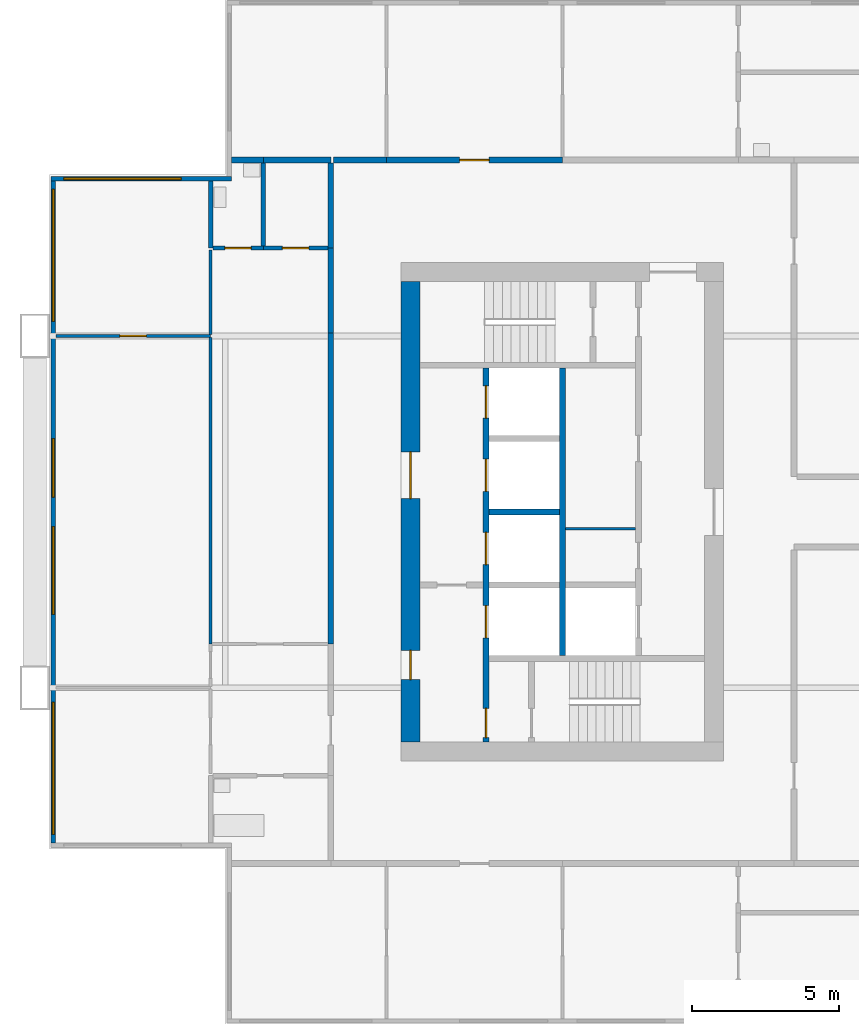
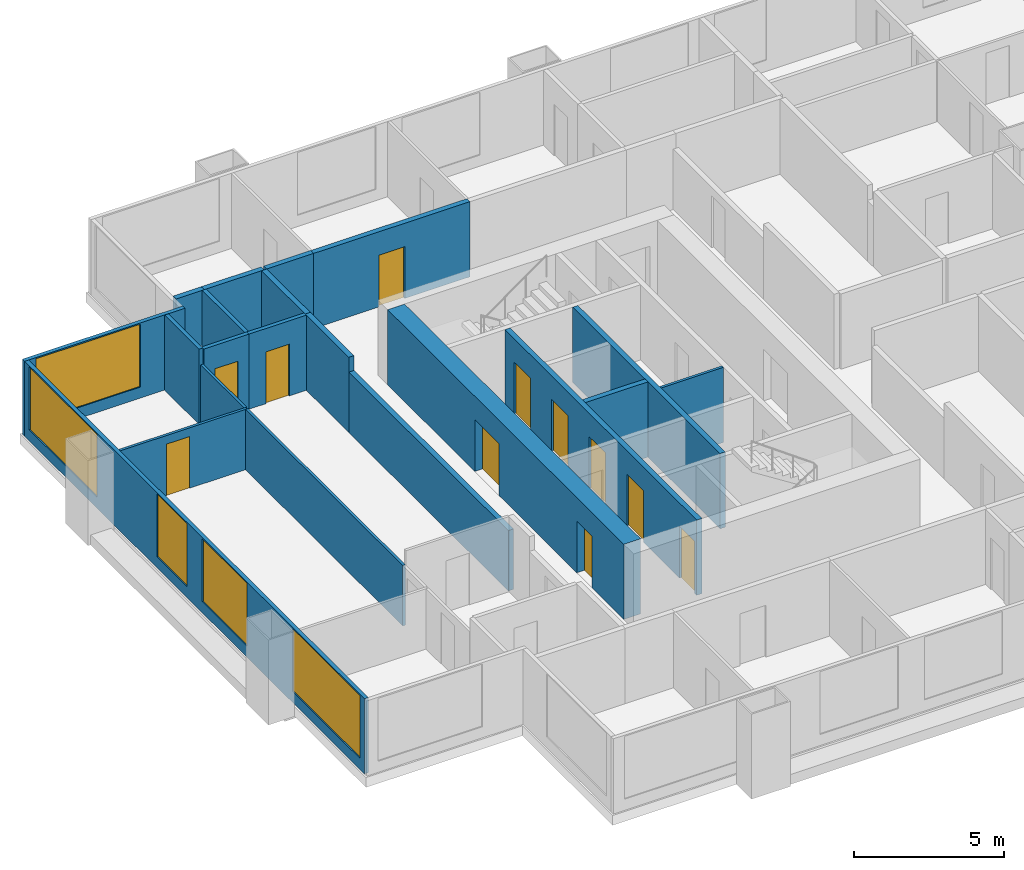
# One storey, part 3 of 11: 21 walls, 11 doors, 5 windows, 16 openings.
"""IFC4 building model written with IfcOpenShell, lengths in metres."""

from ifc_helpers import new_model, si_unit, direction, frame, frame_2d, origin, place, context, subcontext, project, spatial, rectangle, extrude, material, layer, layer_set, type_object, element, fill, save


model = new_model("IFC4")

# Units and contexts
model_context = context("Model", 3, precision=1e-05, world=origin(), true_north=direction((0.0, 1.0)))
body_context = subcontext(model_context, "Body", "Model", "MODEL_VIEW")
ifc_project = project(units=[si_unit("LENGTHUNIT", "METRE"), si_unit("AREAUNIT", "SQUARE_METRE"), si_unit("VOLUMEUNIT", "CUBIC_METRE"), si_unit("PLANEANGLEUNIT", "RADIAN"), si_unit("MASSUNIT", "GRAM", prefix="KILO")], contexts=[model_context])

# Site, building, storey
site_placement = place(None, origin())
site = spatial("IfcSite", under=ifc_project, at=site_placement, CompositionType="ELEMENT")
building_placement = place(site_placement, origin())
building = spatial("IfcBuilding", under=site, at=building_placement, Name="Kitamizu Gate Tower and Museum", CompositionType="ELEMENT")
storey_placement = place(building_placement, frame((0.0, 0.0, 110.39990234375)))
storey = spatial("IfcBuildingStorey", under=building, at=storey_placement, Name="L28", CompositionType="ELEMENT", Elevation=110.39990234375)

# Wall, openings, doors
ifc_material_1 = material(Name="Concrete Fc60", Category="concrete")
ifc_layer_1 = layer(ifc_material_1, 0.64990234375)
ifc_layer_set_1 = layer_set([ifc_layer_1], Name="Concrete Fc60")
wall_type_1 = type_object("IfcWallType", Name="Core wall 650", PredefinedType="SHEAR", material=ifc_layer_set_1)
wall_1_placement = place(storey_placement, frame((12.824951171875, 22.14990234375, 0.0), z_axis=(0.0, 0.0, 1.0), x_axis=(0.0, 1.0, 0.0)))
wall_1 = element("IfcWall", 1, at=wall_1_placement, inside=storey, type_object=wall_type_1, Name="Core wall WOUT", PredefinedType="SHEAR", context=body_context, shape_type="SweptSolid", body=[
    extrude(rectangle(XDim=15.7001953125, YDim=0.64990234375, at=frame_2d((7.85009765625, 0.0))), origin(), (0.0, 0.0, 1.0), 3.050048828125),
])
opening_1_placement = place(wall_1_placement, frame((8.300048828125, 0.0, 0.0)))
opening_1 = element("IfcOpeningElement", 2, at=opening_1_placement, cuts=wall_1, Name="Opening L28-058", PredefinedType="OPENING", context=body_context, shape_type="SweptSolid", body=[
    extrude(rectangle(XDim=1.60009765625, YDim=2.10009765625, at=frame_2d((0.800048828125, 1.050048828125))), frame((0.0, 0.3349609375, 0.0), z_axis=(0.0, -1.0, 0.0), x_axis=(1.0, 0.0, 0.0)), (0.0, 0.0, 1.0), 0.669921875),
])
opening_2_placement = place(wall_1_placement, frame((2.125, 0.0, 0.0)))
opening_2 = element("IfcOpeningElement", 3, at=opening_2_placement, cuts=wall_1, Name="Opening L28-059", PredefinedType="OPENING", context=body_context, shape_type="SweptSolid", body=[
    extrude(rectangle(XDim=1.0, YDim=2.10009765625, at=frame_2d((0.5, 1.050048828125))), frame((0.0, 0.3349609375, 0.0), z_axis=(0.0, -1.0, 0.0), x_axis=(1.0, 0.0, 0.0)), (0.0, 0.0, 1.0), 0.669921875),
])
ifc_material_2 = material(Name="Timber door set", Category="wood")
door_type_1 = type_object("IfcDoorType", Name="Entrance door 1600", OperationType="DOUBLE_DOOR_SINGLE_SWING", PredefinedType="DOOR", material=ifc_material_2)
door_1_placement = place(opening_1_placement, origin())
door_1 = element("IfcDoor", 4, at=door_1_placement, inside=storey, type_object=door_type_1, Name="Lobby door L28-058", OperationType="DOUBLE_DOOR_SINGLE_SWING", OverallHeight=2.10009765625, OverallWidth=1.60009765625, PredefinedType="DOOR", context=body_context, shape_type="SweptSolid", body=[
    extrude(rectangle(XDim=1.60009765625, YDim=2.10009765625, at=frame_2d((0.800048828125, 1.050048828125))), frame((0.0, 0.02490234375, 0.0), z_axis=(0.0, -1.0, 0.0), x_axis=(1.0, 0.0, 0.0)), (0.0, 0.0, 1.0), 0.050048828125),
])
fill(opening_1, door_1)
ifc_material_3 = material(Name="Hollow metal door set")
door_type_2 = type_object("IfcDoorType", Name="Fire door 1000", OperationType="NOTDEFINED", PredefinedType="DOOR", material=ifc_material_3)
door_2_placement = place(opening_2_placement, frame((1.0, 0.0, 0.0), x_axis=(-1.0, 0.0, 0.0)))
door_2 = element("IfcDoor", 5, at=door_2_placement, inside=storey, type_object=door_type_2, Name="Fire-fighting lobby door L28-059", OperationType="SINGLE_SWING_RIGHT", OverallHeight=2.10009765625, OverallWidth=1.0, PredefinedType="DOOR", context=body_context, shape_type="SweptSolid", body=[
    extrude(rectangle(XDim=1.0, YDim=2.10009765625, at=frame_2d((0.5, 1.050048828125))), frame((0.0, 0.02490234375, 0.0), z_axis=(0.0, -1.0, 0.0), x_axis=(1.0, 0.0, 0.0)), (0.0, 0.0, 1.0), 0.050048828125),
])
fill(opening_2, door_2)

# Wall
ifc_material_4 = material(Name="Gypsum board on galvanised stud")
ifc_layer_2 = layer(ifc_material_4, 0.10009765625)
ifc_layer_set_2 = layer_set([ifc_layer_2], Name="Gypsum board on galvanised stud")
wall_type_2 = type_object("IfcWallType", Name="Partition 100", PredefinedType="PARTITIONING", material=ifc_layer_set_2)
wall_2_placement = place(storey_placement, frame((18.10009765625, 29.425048828125, 0.0), z_axis=(0.0, 0.0, 1.0), x_axis=(1.0, 0.0, 0.0)))
element("IfcWall", 6, at=wall_2_placement, inside=storey, type_object=wall_type_2, Name="Partition WPF1", PredefinedType="PARTITIONING", context=body_context, shape_type="SweptSolid", body=[
    extrude(rectangle(XDim=2.39990234375, YDim=0.10009765625, at=frame_2d((1.199951171875, 0.0))), origin(), (0.0, 0.0, 1.0), 3.050048828125),
])

# Wall, opening, door
ifc_material_5 = material(Name="Gypsum board on galvanised stud")
ifc_layer_3 = layer(ifc_material_5, 0.10009765625)
ifc_layer_set_3 = layer_set([ifc_layer_3], Name="Gypsum board on galvanised stud")
wall_type_3 = type_object("IfcWallType", Name="Partition 100 NOT RATED", PredefinedType="PARTITIONING", material=ifc_layer_set_3)
wall_3_placement = place(storey_placement, frame((6.0, 36.0, 0.0), z_axis=(0.0, 0.0, 1.0), x_axis=(-1.0, 0.0, 0.0)))
wall_3 = element("IfcWall", 7, at=wall_3_placement, inside=storey, type_object=wall_type_3, Name="Partition L28-022", PredefinedType="PARTITIONING", context=body_context, shape_type="SweptSolid", body=[
    extrude(rectangle(XDim=5.280029296875, YDim=0.10009765625, at=frame_2d((2.64013671875, 0.0))), origin(), (0.0, 0.0, 1.0), 2.4501953125),
])
opening_3_placement = place(wall_3_placement, frame((2.18994140625, 0.0, 0.0)))
opening_3 = element("IfcOpeningElement", 8, at=opening_3_placement, cuts=wall_3, Name="Opening L28-010", PredefinedType="OPENING", context=body_context, shape_type="SweptSolid", body=[
    extrude(rectangle(XDim=0.89990234375, YDim=2.10009765625, at=frame_2d((0.449951171875, 1.050048828125))), frame((0.0, 0.06005859375, 0.0), z_axis=(0.0, -1.0, 0.0), x_axis=(1.0, 0.0, 0.0)), (0.0, 0.0, 1.0), 0.1201171875),
])
ifc_material_6 = material(Name="Timber door set", Category="wood")
door_type_3 = type_object("IfcDoorType", Name="Room door 900", OperationType="NOTDEFINED", PredefinedType="DOOR", material=ifc_material_6)
door_3_placement = place(opening_3_placement, frame((0.89990234375, 0.0, 0.0), x_axis=(-1.0, 0.0, 0.0)))
door_3 = element("IfcDoor", 9, at=door_3_placement, inside=storey, type_object=door_type_3, Name="Door L28-010", OperationType="SINGLE_SWING_LEFT", OverallHeight=2.10009765625, OverallWidth=0.89990234375, PredefinedType="DOOR", context=body_context, shape_type="SweptSolid", body=[
    extrude(rectangle(XDim=0.89990234375, YDim=2.10009765625, at=frame_2d((0.449951171875, 1.050048828125))), frame((0.0, 0.02490234375, 0.0), z_axis=(0.0, -1.0, 0.0), x_axis=(1.0, 0.0, 0.0)), (0.0, 0.0, 1.0), 0.050048828125),
])
fill(opening_3, door_3)

# Walls
wall_4_placement = place(storey_placement, frame((6.0, 25.5, 0.0), z_axis=(0.0, 0.0, 1.0), x_axis=(0.0, 1.0, 0.0)))
element("IfcWall", 10, at=wall_4_placement, inside=storey, type_object=wall_type_3, Name="Partition L28-024", PredefinedType="PARTITIONING", context=body_context, shape_type="SweptSolid", body=[
    extrude(rectangle(XDim=10.449951171875, YDim=0.10009765625, at=frame_2d((5.22509765625, 0.0))), origin(), (0.0, 0.0, 1.0), 2.4501953125),
])
wall_5_placement = place(storey_placement, frame((6.0, 36.050048828125, 0.0), z_axis=(0.0, 0.0, 1.0), x_axis=(0.0, 1.0, 0.0)))
element("IfcWall", 11, at=wall_5_placement, inside=storey, type_object=wall_type_3, Name="Partition L28-025", PredefinedType="PARTITIONING", context=body_context, shape_type="SweptSolid", body=[
    extrude(rectangle(XDim=2.875, YDim=0.10009765625, at=frame_2d((1.4375, 0.0))), origin(), (0.0, 0.0, 1.0), 2.4501953125),
])
ifc_material_7 = material(Name="Gypsum board on galvanised stud")
ifc_layer_4 = layer(ifc_material_7, 0.14990234375)
ifc_layer_set_4 = layer_set([ifc_layer_4], Name="Gypsum board on galvanised stud")
wall_type_4 = type_object("IfcWallType", Name="Partition 150", PredefinedType="PARTITIONING", material=ifc_layer_set_4)
wall_6_placement = place(storey_placement, frame((6.0, 39.0, 0.0), z_axis=(0.0, 0.0, 1.0), x_axis=(0.0, 1.0, 0.0)))
element("IfcWall", 12, at=wall_6_placement, inside=storey, type_object=wall_type_4, Name="Partition L28-026", PredefinedType="PARTITIONING", context=body_context, shape_type="SweptSolid", body=[
    extrude(rectangle(XDim=2.280029296875, YDim=0.14990234375, at=frame_2d((1.14013671875, 0.0))), origin(), (0.0, 0.0, 1.0), 3.050048828125),
])

# Wall, opening, door
wall_7_placement = place(storey_placement, frame((7.800048828125, 39.0, 0.0), z_axis=(0.0, 0.0, 1.0), x_axis=(-1.0, 0.0, 0.0)))
wall_7 = element("IfcWall", 13, at=wall_7_placement, inside=storey, type_object=wall_type_4, Name="Partition L28-032", PredefinedType="PARTITIONING", context=body_context, shape_type="SweptSolid", body=[
    extrude(rectangle(XDim=1.72509765625, YDim=0.14990234375, at=frame_2d((0.862548828125, 0.0))), origin(), (0.0, 0.0, 1.0), 3.050048828125),
])
opening_4_placement = place(wall_7_placement, frame((0.41259765625, 0.0, 0.0)))
opening_4 = element("IfcOpeningElement", 14, at=opening_4_placement, cuts=wall_7, Name="Opening L28-012", PredefinedType="OPENING", context=body_context, shape_type="SweptSolid", body=[
    extrude(rectangle(XDim=0.89990234375, YDim=2.10009765625, at=frame_2d((0.449951171875, 1.050048828125))), frame((0.0, 0.0849609375, 0.0), z_axis=(0.0, -1.0, 0.0), x_axis=(1.0, 0.0, 0.0)), (0.0, 0.0, 1.0), 0.169921875),
])
ifc_material_8 = material(Name="Timber door set", Category="wood")
door_type_4 = type_object("IfcDoorType", Name="Bathroom door 900", OperationType="NOTDEFINED", PredefinedType="DOOR", material=ifc_material_8)
door_4_placement = place(opening_4_placement, frame((0.89990234375, 0.0, 0.0), x_axis=(-1.0, 0.0, 0.0)))
door_4 = element("IfcDoor", 15, at=door_4_placement, inside=storey, type_object=door_type_4, Name="Bathroom door L28-012", OperationType="SINGLE_SWING_LEFT", OverallHeight=2.10009765625, OverallWidth=0.89990234375, PredefinedType="DOOR", context=body_context, shape_type="SweptSolid", body=[
    extrude(rectangle(XDim=0.89990234375, YDim=2.10009765625, at=frame_2d((0.449951171875, 1.050048828125))), frame((0.0, 0.02490234375, 0.0), z_axis=(0.0, -1.0, 0.0), x_axis=(1.0, 0.0, 0.0)), (0.0, 0.0, 1.0), 0.050048828125),
])
fill(opening_4, door_4)

wall_8_placement = place(storey_placement, frame((10.0, 39.0, 0.0), z_axis=(0.0, 0.0, 1.0), x_axis=(-1.0, 0.0, 0.0)))
wall_8 = element("IfcWall", 16, at=wall_8_placement, inside=storey, type_object=wall_type_4, Name="Partition L28-033", PredefinedType="PARTITIONING", context=body_context, shape_type="SweptSolid", body=[
    extrude(rectangle(XDim=2.199951171875, YDim=0.14990234375, at=frame_2d((1.10009765625, 0.0))), origin(), (0.0, 0.0, 1.0), 3.050048828125),
])
opening_5_placement = place(wall_8_placement, frame((0.64990234375, 0.0, 0.0)))
opening_5 = element("IfcOpeningElement", 17, at=opening_5_placement, cuts=wall_8, Name="Opening L28-013", PredefinedType="OPENING", context=body_context, shape_type="SweptSolid", body=[
    extrude(rectangle(XDim=0.89990234375, YDim=2.10009765625, at=frame_2d((0.449951171875, 1.050048828125))), frame((0.0, 0.0849609375, 0.0), z_axis=(0.0, -1.0, 0.0), x_axis=(1.0, 0.0, 0.0)), (0.0, 0.0, 1.0), 0.169921875),
])
door_5_placement = place(opening_5_placement, frame((0.89990234375, 0.0, 0.0), x_axis=(-1.0, 0.0, 0.0)))
door_5 = element("IfcDoor", 18, at=door_5_placement, inside=storey, type_object=door_type_4, Name="Bathroom door L28-013", OperationType="SINGLE_SWING_RIGHT", OverallHeight=2.10009765625, OverallWidth=0.89990234375, PredefinedType="DOOR", context=body_context, shape_type="SweptSolid", body=[
    extrude(rectangle(XDim=0.89990234375, YDim=2.10009765625, at=frame_2d((0.449951171875, 1.050048828125))), frame((0.0, 0.02490234375, 0.0), z_axis=(0.0, -1.0, 0.0), x_axis=(1.0, 0.0, 0.0)), (0.0, 0.0, 1.0), 0.050048828125),
])
fill(opening_5, door_5)

# Walls
wall_9_placement = place(storey_placement, frame((7.800048828125, 39.074951171875, 0.0), z_axis=(0.0, 0.0, 1.0), x_axis=(0.0, 1.0, 0.0)))
element("IfcWall", 19, at=wall_9_placement, inside=storey, type_object=wall_type_4, Name="Partition L28-036", PredefinedType="PARTITIONING", context=body_context, shape_type="SweptSolid", body=[
    extrude(rectangle(XDim=2.824951171875, YDim=0.14990234375, at=frame_2d((1.41259765625, 0.0))), origin(), (0.0, 0.0, 1.0), 3.050048828125),
])
ifc_material_9 = material(Name="Gypsum board on galvanised stud")
ifc_layer_5 = layer(ifc_material_9, 0.199951171875)
ifc_layer_set_5 = layer_set([ifc_layer_5], Name="Gypsum board on galvanised stud")
wall_type_5 = type_object("IfcWallType", Name="Partition 200", PredefinedType="PARTITIONING", material=ifc_layer_set_5)
wall_10_placement = place(storey_placement, frame((10.10009765625, 25.5, 0.0), z_axis=(0.0, 0.0, 1.0), x_axis=(0.0, 1.0, 0.0)))
element("IfcWall", 20, at=wall_10_placement, inside=storey, type_object=wall_type_5, Name="Partition L28-034", PredefinedType="PARTITIONING", context=body_context, shape_type="SweptSolid", body=[
    extrude(rectangle(XDim=10.60009765625, YDim=0.199951171875, at=frame_2d((5.300048828125, 0.0))), origin(), (0.0, 0.0, 1.0), 2.4501953125),
])
wall_11_placement = place(storey_placement, frame((10.10009765625, 36.10009765625, 0.0), z_axis=(0.0, 0.0, 1.0), x_axis=(0.0, 1.0, 0.0)))
element("IfcWall", 21, at=wall_11_placement, inside=storey, type_object=wall_type_5, Name="Partition L28-035", PredefinedType="PARTITIONING", context=body_context, shape_type="SweptSolid", body=[
    extrude(rectangle(XDim=2.89990234375, YDim=0.199951171875, at=frame_2d((1.449951171875, 0.0))), origin(), (0.0, 0.0, 1.0), 3.050048828125),
])
wall_12_placement = place(storey_placement, frame((7.800048828125, 42.0, 0.0), z_axis=(0.0, 0.0, 1.0), x_axis=(-1.0, 0.0, 0.0)))
element("IfcWall", 22, at=wall_12_placement, inside=storey, type_object=wall_type_5, Name="Partition L28-037", PredefinedType="PARTITIONING", context=body_context, shape_type="SweptSolid", body=[
    extrude(rectangle(XDim=1.080078125, YDim=0.199951171875, at=frame_2d((0.5400390625, 0.0))), origin(), (0.0, 0.0, 1.0), 3.050048828125),
])
wall_13_placement = place(storey_placement, frame((10.10009765625, 42.0, 0.0), z_axis=(0.0, 0.0, 1.0), x_axis=(-1.0, 0.0, 0.0)))
element("IfcWall", 23, at=wall_13_placement, inside=storey, type_object=wall_type_5, Name="Partition L28-038", PredefinedType="PARTITIONING", context=body_context, shape_type="SweptSolid", body=[
    extrude(rectangle(XDim=2.300048828125, YDim=0.199951171875, at=frame_2d((1.14990234375, 0.0))), origin(), (0.0, 0.0, 1.0), 3.050048828125),
])
wall_14_placement = place(storey_placement, frame((10.10009765625, 39.0, 0.0), z_axis=(0.0, 0.0, 1.0), x_axis=(0.0, 1.0, 0.0)))
element("IfcWall", 24, at=wall_14_placement, inside=storey, type_object=wall_type_5, Name="Partition L28-039", PredefinedType="PARTITIONING", context=body_context, shape_type="SweptSolid", body=[
    extrude(rectangle(XDim=2.89990234375, YDim=0.199951171875, at=frame_2d((1.449951171875, 0.0))), origin(), (0.0, 0.0, 1.0), 3.050048828125),
])
wall_15_placement = place(storey_placement, frame((10.199951171875, 42.0, 0.0), z_axis=(0.0, 0.0, 1.0), x_axis=(1.0, 0.0, 0.0)))
element("IfcWall", 25, at=wall_15_placement, inside=storey, type_object=wall_type_5, Name="Partition L28-089", PredefinedType="PARTITIONING", context=body_context, shape_type="SweptSolid", body=[
    extrude(rectangle(XDim=1.800048828125, YDim=0.199951171875, at=frame_2d((0.89990234375, 0.0))), origin(), (0.0, 0.0, 1.0), 3.050048828125),
])

# Wall, opening, door
wall_16_placement = place(storey_placement, frame((12.0, 42.0, 0.0), z_axis=(0.0, 0.0, 1.0), x_axis=(1.0, 0.0, 0.0)))
wall_16 = element("IfcWall", 26, at=wall_16_placement, inside=storey, type_object=wall_type_5, Name="Partition L28-091", PredefinedType="PARTITIONING", context=body_context, shape_type="SweptSolid", body=[
    extrude(rectangle(XDim=6.0, YDim=0.199951171875, at=frame_2d((3.0, 0.0))), origin(), (0.0, 0.0, 1.0), 3.050048828125),
])
opening_6_placement = place(wall_16_placement, frame((2.5, 0.0, 0.0)))
opening_6 = element("IfcOpeningElement", 27, at=opening_6_placement, cuts=wall_16, Name="Opening L28-034", PredefinedType="OPENING", context=body_context, shape_type="SweptSolid", body=[
    extrude(rectangle(XDim=1.0, YDim=2.10009765625, at=frame_2d((0.5, 1.050048828125))), frame((0.0, 0.10986328125, 0.0), z_axis=(0.0, -1.0, 0.0), x_axis=(1.0, 0.0, 0.0)), (0.0, 0.0, 1.0), 0.219970703125),
])
ifc_material_10 = material(Name="Timber door set", Category="wood")
door_type_5 = type_object("IfcDoorType", Name="Flat entrance door 1000", OperationType="NOTDEFINED", PredefinedType="DOOR", material=ifc_material_10)
door_6_placement = place(opening_6_placement, origin())
door_6 = element("IfcDoor", 28, at=door_6_placement, inside=storey, type_object=door_type_5, Name="Flat entrance door L28-034", OperationType="SINGLE_SWING_LEFT", OverallHeight=2.10009765625, OverallWidth=1.0, PredefinedType="DOOR", context=body_context, shape_type="SweptSolid", body=[
    extrude(rectangle(XDim=1.0, YDim=2.10009765625, at=frame_2d((0.5, 1.050048828125))), frame((0.0, 0.02490234375, 0.0), z_axis=(0.0, -1.0, 0.0), x_axis=(1.0, 0.0, 0.0)), (0.0, 0.0, 1.0), 0.050048828125),
])
fill(opening_6, door_6)

# Wall, openings, doors
ifc_material_11 = material(Name="Concrete Fc42", Category="concrete")
ifc_layer_6 = layer(ifc_material_11, 0.199951171875)
ifc_layer_set_6 = layer_set([ifc_layer_6], Name="Concrete Fc42")
wall_type_6 = type_object("IfcWallType", Name="Shaft wall 200", PredefinedType="SOLIDWALL", material=ifc_layer_set_6)
wall_17_placement = place(storey_placement, frame((15.39990234375, 22.14990234375, 0.0), z_axis=(0.0, 0.0, 1.0), x_axis=(0.0, 1.0, 0.0)))
wall_17 = element("IfcWall", 29, at=wall_17_placement, inside=storey, type_object=wall_type_6, Name="Shaft wall WWEST", PredefinedType="SOLIDWALL", context=body_context, shape_type="SweptSolid", body=[
    extrude(rectangle(XDim=12.75, YDim=0.199951171875, at=frame_2d((6.375, 0.0))), origin(), (0.0, 0.0, 1.0), 3.050048828125),
])
opening_7_placement = place(wall_17_placement, frame((3.550048828125, 0.0, 0.0)))
opening_7 = element("IfcOpeningElement", 30, at=opening_7_placement, cuts=wall_17, Name="Opening LD", PredefinedType="OPENING", context=body_context, shape_type="SweptSolid", body=[
    extrude(rectangle(XDim=1.10009765625, YDim=2.10009765625, at=frame_2d((0.550048828125, 1.050048828125))), frame((0.0, 0.10986328125, 0.0), z_axis=(0.0, -1.0, 0.0), x_axis=(1.0, 0.0, 0.0)), (0.0, 0.0, 1.0), 0.219970703125),
])
opening_8_placement = place(wall_17_placement, frame((6.050048828125, 0.0, 0.0)))
opening_8 = element("IfcOpeningElement", 31, at=opening_8_placement, cuts=wall_17, Name="Opening LD", PredefinedType="OPENING", context=body_context, shape_type="SweptSolid", body=[
    extrude(rectangle(XDim=1.10009765625, YDim=2.10009765625, at=frame_2d((0.550048828125, 1.050048828125))), frame((0.0, 0.10986328125, 0.0), z_axis=(0.0, -1.0, 0.0), x_axis=(1.0, 0.0, 0.0)), (0.0, 0.0, 1.0), 0.219970703125),
])
opening_9_placement = place(wall_17_placement, frame((8.550048828125, 0.0, 0.0)))
opening_9 = element("IfcOpeningElement", 32, at=opening_9_placement, cuts=wall_17, Name="Opening LD", PredefinedType="OPENING", context=body_context, shape_type="SweptSolid", body=[
    extrude(rectangle(XDim=1.10009765625, YDim=2.10009765625, at=frame_2d((0.550048828125, 1.050048828125))), frame((0.0, 0.10986328125, 0.0), z_axis=(0.0, -1.0, 0.0), x_axis=(1.0, 0.0, 0.0)), (0.0, 0.0, 1.0), 0.219970703125),
])
opening_10_placement = place(wall_17_placement, frame((11.050048828125, 0.0, 0.0)))
opening_10 = element("IfcOpeningElement", 33, at=opening_10_placement, cuts=wall_17, Name="Opening LD", PredefinedType="OPENING", context=body_context, shape_type="SweptSolid", body=[
    extrude(rectangle(XDim=1.10009765625, YDim=2.10009765625, at=frame_2d((0.550048828125, 1.050048828125))), frame((0.0, 0.10986328125, 0.0), z_axis=(0.0, -1.0, 0.0), x_axis=(1.0, 0.0, 0.0)), (0.0, 0.0, 1.0), 0.219970703125),
])
opening_11_placement = place(wall_17_placement, frame((0.14990234375, 0.0, 0.0)))
opening_11 = element("IfcOpeningElement", 34, at=opening_11_placement, cuts=wall_17, Name="Opening L28-054", PredefinedType="OPENING", context=body_context, shape_type="SweptSolid", body=[
    extrude(rectangle(XDim=1.0, YDim=2.10009765625, at=frame_2d((0.5, 1.050048828125))), frame((0.0, 0.10986328125, 0.0), z_axis=(0.0, -1.0, 0.0), x_axis=(1.0, 0.0, 0.0)), (0.0, 0.0, 1.0), 0.219970703125),
])
door_7_placement = place(opening_11_placement, frame((1.0, 0.0, 0.0), x_axis=(-1.0, 0.0, 0.0)))
door_7 = element("IfcDoor", 35, at=door_7_placement, inside=storey, type_object=door_type_2, Name="Stair lobby door L28-054", OperationType="SINGLE_SWING_LEFT", OverallHeight=2.10009765625, OverallWidth=1.0, PredefinedType="DOOR", context=body_context, shape_type="SweptSolid", body=[
    extrude(rectangle(XDim=1.0, YDim=2.10009765625, at=frame_2d((0.5, 1.050048828125))), frame((0.0, 0.02490234375, 0.0), z_axis=(0.0, -1.0, 0.0), x_axis=(1.0, 0.0, 0.0)), (0.0, 0.0, 1.0), 0.050048828125),
])
fill(opening_11, door_7)
ifc_material_12 = material(Name="Hollow metal door set")
door_type_6 = type_object("IfcDoorType", Name="Landing door 1100", OperationType="SLIDING_TO_LEFT", PredefinedType="DOOR", material=ifc_material_12)
door_8_placement = place(opening_7_placement, origin())
door_8 = element("IfcDoor", 36, at=door_8_placement, inside=storey, type_object=door_type_6, Name="Landing door WFF1", OperationType="SLIDING_TO_LEFT", OverallHeight=2.10009765625, OverallWidth=1.10009765625, PredefinedType="DOOR", context=body_context, shape_type="SweptSolid", body=[
    extrude(rectangle(XDim=1.10009765625, YDim=2.10009765625, at=frame_2d((0.550048828125, 1.050048828125))), frame((0.0, 0.02490234375, 0.0), z_axis=(0.0, -1.0, 0.0), x_axis=(1.0, 0.0, 0.0)), (0.0, 0.0, 1.0), 0.050048828125),
])
fill(opening_7, door_8)
door_9_placement = place(opening_8_placement, origin())
door_9 = element("IfcDoor", 37, at=door_9_placement, inside=storey, type_object=door_type_6, Name="Landing door WL1", OperationType="SLIDING_TO_LEFT", OverallHeight=2.10009765625, OverallWidth=1.10009765625, PredefinedType="DOOR", context=body_context, shape_type="SweptSolid", body=[
    extrude(rectangle(XDim=1.10009765625, YDim=2.10009765625, at=frame_2d((0.550048828125, 1.050048828125))), frame((0.0, 0.02490234375, 0.0), z_axis=(0.0, -1.0, 0.0), x_axis=(1.0, 0.0, 0.0)), (0.0, 0.0, 1.0), 0.050048828125),
])
fill(opening_8, door_9)
door_10_placement = place(opening_9_placement, origin())
door_10 = element("IfcDoor", 38, at=door_10_placement, inside=storey, type_object=door_type_6, Name="Landing door WL2", OperationType="SLIDING_TO_LEFT", OverallHeight=2.10009765625, OverallWidth=1.10009765625, PredefinedType="DOOR", context=body_context, shape_type="SweptSolid", body=[
    extrude(rectangle(XDim=1.10009765625, YDim=2.10009765625, at=frame_2d((0.550048828125, 1.050048828125))), frame((0.0, 0.02490234375, 0.0), z_axis=(0.0, -1.0, 0.0), x_axis=(1.0, 0.0, 0.0)), (0.0, 0.0, 1.0), 0.050048828125),
])
fill(opening_9, door_10)
door_11_placement = place(opening_10_placement, origin())
door_11 = element("IfcDoor", 39, at=door_11_placement, inside=storey, type_object=door_type_6, Name="Landing door WL3", OperationType="SLIDING_TO_LEFT", OverallHeight=2.10009765625, OverallWidth=1.10009765625, PredefinedType="DOOR", context=body_context, shape_type="SweptSolid", body=[
    extrude(rectangle(XDim=1.10009765625, YDim=2.10009765625, at=frame_2d((0.550048828125, 1.050048828125))), frame((0.0, 0.02490234375, 0.0), z_axis=(0.0, -1.0, 0.0), x_axis=(1.0, 0.0, 0.0)), (0.0, 0.0, 1.0), 0.050048828125),
])
fill(opening_10, door_11)

# Walls
wall_18_placement = place(storey_placement, frame((18.0, 25.10009765625, 0.0), z_axis=(0.0, 0.0, 1.0), x_axis=(0.0, 1.0, 0.0)))
element("IfcWall", 40, at=wall_18_placement, inside=storey, type_object=wall_type_6, Name="Shaft wall WMID", PredefinedType="SOLIDWALL", context=body_context, shape_type="SweptSolid", body=[
    extrude(rectangle(XDim=9.7998046875, YDim=0.199951171875, at=frame_2d((4.89990234375, 0.0))), origin(), (0.0, 0.0, 1.0), 3.050048828125),
])
wall_19_placement = place(storey_placement, frame((15.5, 30.0, 0.0), z_axis=(0.0, 0.0, 1.0), x_axis=(1.0, 0.0, 0.0)))
element("IfcWall", 41, at=wall_19_placement, inside=storey, type_object=wall_type_6, Name="Shaft wall WDVW1", PredefinedType="SOLIDWALL", context=body_context, shape_type="SweptSolid", body=[
    extrude(rectangle(XDim=2.39990234375, YDim=0.199951171875, at=frame_2d((1.199951171875, 0.0))), origin(), (0.0, 0.0, 1.0), 3.050048828125),
])

# Wall, opening, window
ifc_material_13 = material(Name="Bronze anodised aluminium frame with insulated spandrel and tinted glass", Category="aluminium")
ifc_layer_7 = layer(ifc_material_13, 0.14990234375)
ifc_layer_set_7 = layer_set([ifc_layer_7], Name="Bronze anodised aluminium frame with insulated spandrel and tinted glass")
wall_type_7 = type_object("IfcWallType", Name="WINDOW WALL 150 BRONZE FRAME EI 30", PredefinedType="ELEMENTEDWALL", material=ifc_layer_set_7)
wall_20_placement = place(storey_placement, frame((0.56005859375, 41.364990234375, 0.0), z_axis=(0.0, 0.0, 1.0), x_axis=(1.0, 0.0, 0.0)))
wall_20 = element("IfcWall", 42, at=wall_20_placement, inside=storey, type_object=wall_type_7, Name="Window wall north L28", PredefinedType="ELEMENTEDWALL", context=body_context, shape_type="SweptSolid", body=[
    extrude(rectangle(XDim=6.14990234375, YDim=0.14990234375, at=frame_2d((3.074951171875, 0.0))), origin(), (0.0, 0.0, 1.0), 3.050048828125),
])
opening_12_placement = place(wall_20_placement, frame((0.43994140625, 0.0, 0.449951171875)))
opening_12 = element("IfcOpeningElement", 43, at=opening_12_placement, cuts=wall_20, Name="Opening W16", PredefinedType="OPENING", context=body_context, shape_type="SweptSolid", body=[
    extrude(rectangle(XDim=4.0, YDim=2.550048828125, at=frame_2d((2.0, 1.27490234375))), frame((0.0, 0.0849609375, 0.0), z_axis=(0.0, -1.0, 0.0), x_axis=(1.0, 0.0, 0.0)), (0.0, 0.0, 1.0), 0.169921875),
])
ifc_material_14 = material(Name="Bronze anodised aluminium frame, tinted triple glazing", Category="aluminium")
window_type_1 = type_object("IfcWindowType", Name="WINDOW 4000 x 2550 SILL 450", PartitioningType="SINGLE_PANEL", PredefinedType="WINDOW", material=ifc_material_14)
window_1_placement = place(opening_12_placement, origin())
window_1 = element("IfcWindow", 44, at=window_1_placement, inside=storey, type_object=window_type_1, Name="Window W16 L28", OverallHeight=2.550048828125, OverallWidth=4.0, PartitioningType="SINGLE_PANEL", PredefinedType="WINDOW", context=body_context, shape_type="SweptSolid", body=[
    extrude(rectangle(XDim=4.0, YDim=2.550048828125, at=frame_2d((2.0, 1.27490234375))), frame((0.0, 0.030029296875, 0.0), z_axis=(0.0, -1.0, 0.0), x_axis=(1.0, 0.0, 0.0)), (0.0, 0.0, 1.0), 0.06005859375),
])
fill(opening_12, window_1)

# Wall, openings, windows
wall_21_placement = place(storey_placement, frame((0.635009765625, 18.7099609375, 0.0), z_axis=(0.0, 0.0, 1.0), x_axis=(0.0, 1.0, 0.0)))
wall_21 = element("IfcWall", 45, at=wall_21_placement, inside=storey, type_object=wall_type_7, Name="Window wall west L28", PredefinedType="ELEMENTEDWALL", context=body_context, shape_type="SweptSolid", body=[
    extrude(rectangle(XDim=22.580078125, YDim=0.14990234375, at=frame_2d((11.2900390625, 0.0))), origin(), (0.0, 0.0, 1.0), 3.050048828125),
])
opening_13_placement = place(wall_21_placement, frame((0.2900390625, 0.0, 0.449951171875)))
opening_13 = element("IfcOpeningElement", 46, at=opening_13_placement, cuts=wall_21, Name="Opening W15", PredefinedType="OPENING", context=body_context, shape_type="SweptSolid", body=[
    extrude(rectangle(XDim=4.5, YDim=2.550048828125, at=frame_2d((2.25, 1.27490234375))), frame((0.0, 0.0849609375, 0.0), z_axis=(0.0, -1.0, 0.0), x_axis=(1.0, 0.0, 0.0)), (0.0, 0.0, 1.0), 0.169921875),
])
opening_14_placement = place(wall_21_placement, frame((7.7900390625, 0.0, 0.449951171875)))
opening_14 = element("IfcOpeningElement", 47, at=opening_14_placement, cuts=wall_21, Name="Opening W33", PredefinedType="OPENING", context=body_context, shape_type="SweptSolid", body=[
    extrude(rectangle(XDim=3.0, YDim=2.550048828125, at=frame_2d((1.5, 1.27490234375))), frame((0.0, 0.0849609375, 0.0), z_axis=(0.0, -1.0, 0.0), x_axis=(1.0, 0.0, 0.0)), (0.0, 0.0, 1.0), 0.169921875),
])
opening_15_placement = place(wall_21_placement, frame((11.7900390625, 0.0, 0.449951171875)))
opening_15 = element("IfcOpeningElement", 48, at=opening_15_placement, cuts=wall_21, Name="Opening W2", PredefinedType="OPENING", context=body_context, shape_type="SweptSolid", body=[
    extrude(rectangle(XDim=2.0, YDim=2.550048828125, at=frame_2d((1.0, 1.27490234375))), frame((0.0, 0.0849609375, 0.0), z_axis=(0.0, -1.0, 0.0), x_axis=(1.0, 0.0, 0.0)), (0.0, 0.0, 1.0), 0.169921875),
])
opening_16_placement = place(wall_21_placement, frame((17.7900390625, 0.0, 0.449951171875)))
opening_16 = element("IfcOpeningElement", 49, at=opening_16_placement, cuts=wall_21, Name="Opening W15", PredefinedType="OPENING", context=body_context, shape_type="SweptSolid", body=[
    extrude(rectangle(XDim=4.5, YDim=2.550048828125, at=frame_2d((2.25, 1.27490234375))), frame((0.0, 0.0849609375, 0.0), z_axis=(0.0, -1.0, 0.0), x_axis=(1.0, 0.0, 0.0)), (0.0, 0.0, 1.0), 0.169921875),
])
ifc_material_15 = material(Name="Bronze anodised aluminium frame, tinted triple glazing", Category="aluminium")
window_type_2 = type_object("IfcWindowType", Name="WINDOW 2000 x 2550 SILL 450", PartitioningType="SINGLE_PANEL", PredefinedType="WINDOW", material=ifc_material_15)
window_2_placement = place(opening_15_placement, origin())
window_2 = element("IfcWindow", 50, at=window_2_placement, inside=storey, type_object=window_type_2, Name="Window W2 L28", OverallHeight=2.550048828125, OverallWidth=2.0, PartitioningType="SINGLE_PANEL", PredefinedType="WINDOW", context=body_context, shape_type="SweptSolid", body=[
    extrude(rectangle(XDim=2.0, YDim=2.550048828125, at=frame_2d((1.0, 1.27490234375))), frame((0.0, 0.030029296875, 0.0), z_axis=(0.0, -1.0, 0.0), x_axis=(1.0, 0.0, 0.0)), (0.0, 0.0, 1.0), 0.06005859375),
])
fill(opening_15, window_2)
ifc_material_16 = material(Name="Bronze anodised aluminium frame, tinted triple glazing", Category="aluminium")
window_type_3 = type_object("IfcWindowType", Name="WINDOW 3000 x 2550 SILL 450", PartitioningType="SINGLE_PANEL", PredefinedType="WINDOW", material=ifc_material_16)
window_3_placement = place(opening_14_placement, origin())
window_3 = element("IfcWindow", 51, at=window_3_placement, inside=storey, type_object=window_type_3, Name="Window W33 L28", OverallHeight=2.550048828125, OverallWidth=3.0, PartitioningType="SINGLE_PANEL", PredefinedType="WINDOW", context=body_context, shape_type="SweptSolid", body=[
    extrude(rectangle(XDim=3.0, YDim=2.550048828125, at=frame_2d((1.5, 1.27490234375))), frame((0.0, 0.030029296875, 0.0), z_axis=(0.0, -1.0, 0.0), x_axis=(1.0, 0.0, 0.0)), (0.0, 0.0, 1.0), 0.06005859375),
])
fill(opening_14, window_3)
ifc_material_17 = material(Name="Bronze anodised aluminium frame, tinted triple glazing", Category="aluminium")
window_type_4 = type_object("IfcWindowType", Name="WINDOW 4500 x 2550 SILL 450", PartitioningType="SINGLE_PANEL", PredefinedType="WINDOW", material=ifc_material_17)
window_4_placement = place(opening_13_placement, origin())
window_4 = element("IfcWindow", 52, at=window_4_placement, inside=storey, type_object=window_type_4, Name="Window W15 L28", OverallHeight=2.550048828125, OverallWidth=4.5, PartitioningType="SINGLE_PANEL", PredefinedType="WINDOW", context=body_context, shape_type="SweptSolid", body=[
    extrude(rectangle(XDim=4.5, YDim=2.550048828125, at=frame_2d((2.25, 1.27490234375))), frame((0.0, 0.030029296875, 0.0), z_axis=(0.0, -1.0, 0.0), x_axis=(1.0, 0.0, 0.0)), (0.0, 0.0, 1.0), 0.06005859375),
])
fill(opening_13, window_4)
window_5_placement = place(opening_16_placement, origin())
window_5 = element("IfcWindow", 53, at=window_5_placement, inside=storey, type_object=window_type_4, Name="Window W15 L28", OverallHeight=2.550048828125, OverallWidth=4.5, PartitioningType="SINGLE_PANEL", PredefinedType="WINDOW", context=body_context, shape_type="SweptSolid", body=[
    extrude(rectangle(XDim=4.5, YDim=2.550048828125, at=frame_2d((2.25, 1.27490234375))), frame((0.0, 0.030029296875, 0.0), z_axis=(0.0, -1.0, 0.0), x_axis=(1.0, 0.0, 0.0)), (0.0, 0.0, 1.0), 0.06005859375),
])
fill(opening_16, window_5)

save(model, "model.ifc")
